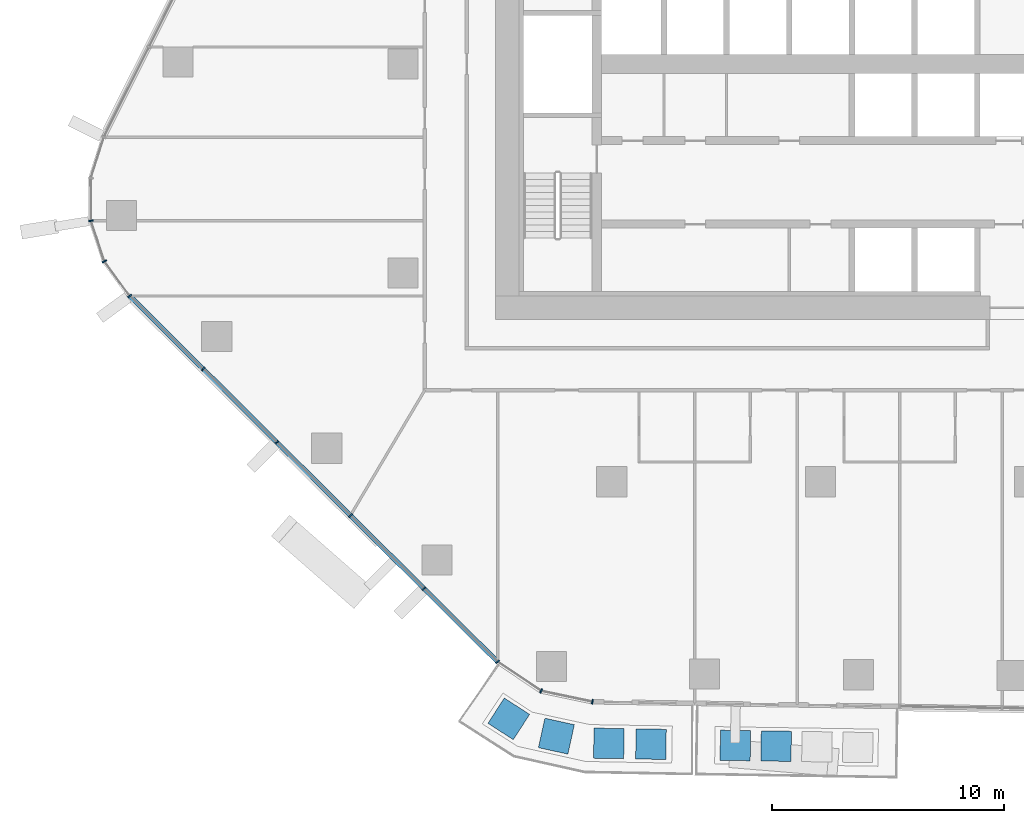
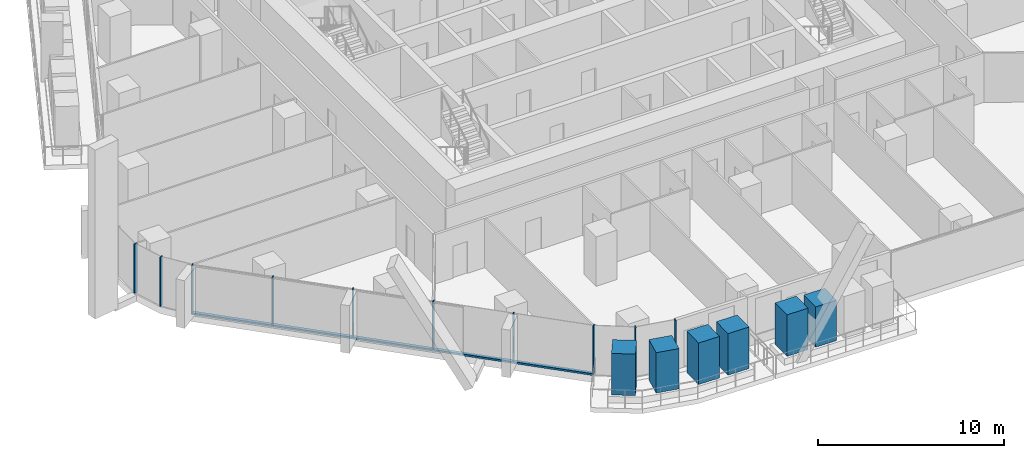
# One storey, part 2 of 26: 17 members, 3 elements without a shape of their own.
"""IFC4 building model written with IfcOpenShell, lengths in metres."""

from ifc_helpers import new_model, si_unit, direction, frame, origin, origin_2d, place, context, subcontext, project, spatial, rectangle, extrude, material, layer, layer_set, material_profile, profile_set, type_object, element, aggregate, save


model = new_model("IFC4")

# Units and contexts
model_context = context("Model", 3, precision=1e-05, world=origin(), true_north=direction((0.0, 1.0)))
body_context = subcontext(model_context, "Body", "Model", "MODEL_VIEW")
ifc_project = project(units=[si_unit("LENGTHUNIT", "METRE"), si_unit("AREAUNIT", "SQUARE_METRE"), si_unit("VOLUMEUNIT", "CUBIC_METRE"), si_unit("PLANEANGLEUNIT", "RADIAN"), si_unit("MASSUNIT", "GRAM", prefix="KILO")], contexts=[model_context])

# Site, building, storey
site_placement = place(None, origin())
site = spatial("IfcSite", under=ifc_project, at=site_placement, CompositionType="ELEMENT")
building_placement = place(site_placement, origin())
building = spatial("IfcBuilding", under=site, at=building_placement, Name="Dongbaek Canopy Tower", CompositionType="ELEMENT")
storey_placement = place(building_placement, frame((0.0, 0.0, 95.199951171875)))
storey = spatial("IfcBuildingStorey", under=building, at=storey_placement, Name="L19", CompositionType="ELEMENT", Elevation=95.199951171875)

# Curtain wall, members
ifc_material_1 = material(Name="Aluminium 6063-T6 pale anodised", Category="aluminium")
ifc_layer = layer(ifc_material_1, 0.199951171875)
ifc_layer_set = layer_set([ifc_layer], Name="CW-1 unitised tower curtain wall")
curtain_wall_type = type_object("IfcCurtainWallType", Name="CW-1 unitised tower curtain wall", PredefinedType="NOTDEFINED", material=ifc_layer_set)
curtain_wall_1_placement = place(storey_placement, origin())
curtain_wall_1 = element("IfcCurtainWall", 1, at=curtain_wall_1_placement, inside=storey, type_object=curtain_wall_type, Name="CW-1 curtain wall K3.1", PredefinedType="NOTDEFINED")
ifc_material_2 = material(Name="Aluminium 6063-T6 pale anodised", Category="aluminium")
ifc_material_profile_1 = material_profile(ifc_material_2, rectangle(XDim=0.199951171875, YDim=0.06005859375, at=origin_2d()), Name="CW-1 mullion 60 x 200")
ifc_profile_set_1 = profile_set([ifc_material_profile_1], Name="Aluminium 6063-T6 pale anodised")
member_type_1 = type_object("IfcMemberType", Name="CW-1 mullion 60 x 200", PredefinedType="MULLION", material=ifc_profile_set_1)
member_1_placement = place(storey_placement, frame((-31.437255859375, -6.75537109375, 0.0), z_axis=(0.0, 0.0, 1.0), x_axis=(-0.986927013659, -0.161167830876, 0.0)))
member_1 = element("IfcMember", 2, at=member_1_placement, type_object=member_type_1, Name="CW-1 mullion K3.1.3", PredefinedType="MULLION", context=body_context, shape_type="SweptSolid", body=[
    extrude(rectangle(XDim=0.199951171875, YDim=0.06005859375, at=origin_2d()), origin(), (0.0, 0.0, 1.0), 3.25),
])
member_2_placement = place(storey_placement, frame((-30.861328125, -8.502685546875, 0.0), z_axis=(0.0, 0.0, 1.0), x_axis=(-0.889270102172, -0.457382427934, 0.0)))
member_2 = element("IfcMember", 3, at=member_2_placement, type_object=member_type_1, Name="CW-1 mullion K3.1.4", PredefinedType="MULLION", context=body_context, shape_type="SweptSolid", body=[
    extrude(rectangle(XDim=0.199951171875, YDim=0.06005859375, at=origin_2d()), origin(), (0.0, 0.0, 1.0), 3.25),
])
member_3_placement = place(storey_placement, frame((-29.770263671875, -9.993896484375, 0.0), z_axis=(0.0, 0.0, 1.0), x_axis=(-0.80706183949, -0.59046692307, 0.0)))
member_3 = element("IfcMember", 4, at=member_3_placement, type_object=member_type_1, Name="CW-1 mullion K3.1.5", PredefinedType="MULLION", context=body_context, shape_type="SweptSolid", body=[
    extrude(rectangle(XDim=0.199951171875, YDim=0.06005859375, at=origin_2d()), origin(), (0.0, 0.0, 1.0), 3.25),
])
aggregate(curtain_wall_1, [member_1, member_2, member_3])

curtain_wall_2_placement = place(storey_placement, origin())
curtain_wall_2 = element("IfcCurtainWall", 5, at=curtain_wall_2_placement, inside=storey, type_object=curtain_wall_type, Name="CW-1 curtain wall F3.1", PredefinedType="NOTDEFINED")
member_4_placement = place(storey_placement, frame((-26.6025390625, -13.143798828125, 0.1201171875), z_axis=(0.0, 0.0, 1.0), x_axis=(-0.705105030819, -0.709102880768, 0.0)))
member_4 = element("IfcMember", 6, at=member_4_placement, type_object=member_type_1, Name="CW-1 mullion F3.1.2", PredefinedType="MULLION", context=body_context, shape_type="SweptSolid", body=[
    extrude(rectangle(XDim=0.199951171875, YDim=0.06005859375, at=origin_2d()), origin(), (0.0, 0.0, 1.0), 3.1298828125),
])
member_5_placement = place(storey_placement, frame((-23.42919921875, -16.299072265625, 0.1201171875), z_axis=(0.0, 0.0, 1.0), x_axis=(-0.705105030819, -0.709102880768, 0.0)))
member_5 = element("IfcMember", 7, at=member_5_placement, type_object=member_type_1, Name="CW-1 mullion F3.1.3", PredefinedType="MULLION", context=body_context, shape_type="SweptSolid", body=[
    extrude(rectangle(XDim=0.199951171875, YDim=0.06005859375, at=origin_2d()), origin(), (0.0, 0.0, 1.0), 3.1298828125),
])
member_6_placement = place(storey_placement, frame((-20.256103515625, -19.45458984375, 0.1201171875), z_axis=(0.0, 0.0, 1.0), x_axis=(-0.705105030819, -0.709102880768, 0.0)))
member_6 = element("IfcMember", 8, at=member_6_placement, type_object=member_type_1, Name="CW-1 mullion F3.1.4", PredefinedType="MULLION", context=body_context, shape_type="SweptSolid", body=[
    extrude(rectangle(XDim=0.199951171875, YDim=0.06005859375, at=origin_2d()), origin(), (0.0, 0.0, 1.0), 3.1298828125),
])
member_7_placement = place(storey_placement, frame((-17.082763671875, -22.60986328125, 0.1201171875), z_axis=(0.0, 0.0, 1.0), x_axis=(-0.705105030819, -0.709102880768, 0.0)))
member_7 = element("IfcMember", 9, at=member_7_placement, type_object=member_type_1, Name="CW-1 mullion F3.1.5", PredefinedType="MULLION", context=body_context, shape_type="SweptSolid", body=[
    extrude(rectangle(XDim=0.199951171875, YDim=0.06005859375, at=origin_2d()), origin(), (0.0, 0.0, 1.0), 3.1298828125),
])
member_8_placement = place(storey_placement, frame((-13.91650390625, -25.75830078125, 0.1201171875), z_axis=(0.0, 0.0, 1.0), x_axis=(-0.705105030819, -0.709102880768, 0.0)))
member_8 = element("IfcMember", 10, at=member_8_placement, type_object=member_type_1, Name="CW-1 mullion F3.1.6", PredefinedType="MULLION", context=body_context, shape_type="SweptSolid", body=[
    extrude(rectangle(XDim=0.199951171875, YDim=0.06005859375, at=origin_2d()), origin(), (0.0, 0.0, 1.0), 3.1298828125),
])

curtain_wall_3_placement = place(storey_placement, origin())
curtain_wall_3 = element("IfcCurtainWall", 11, at=curtain_wall_3_placement, inside=storey, type_object=curtain_wall_type, Name="CW-1 curtain wall K4.1", PredefinedType="NOTDEFINED")
member_9_placement = place(storey_placement, frame((-12.040771484375, -27.016357421875, 0.0), z_axis=(0.0, 0.0, 1.0), x_axis=(-0.38849005689, -0.921452915616, 0.0)))
member_9 = element("IfcMember", 12, at=member_9_placement, type_object=member_type_1, Name="CW-1 mullion K4.1.2", PredefinedType="MULLION", context=body_context, shape_type="SweptSolid", body=[
    extrude(rectangle(XDim=0.199951171875, YDim=0.06005859375, at=origin_2d()), origin(), (0.0, 0.0, 1.0), 3.25),
])
member_10_placement = place(storey_placement, frame((-9.830810546875, -27.48095703125, 0.0), z_axis=(0.0, 0.0, 1.0), x_axis=(-0.205723466931, -0.978610165057, 0.0)))
member_10 = element("IfcMember", 13, at=member_10_placement, type_object=member_type_1, Name="CW-1 mullion K4.1.3", PredefinedType="MULLION", context=body_context, shape_type="SweptSolid", body=[
    extrude(rectangle(XDim=0.199951171875, YDim=0.06005859375, at=origin_2d()), origin(), (0.0, 0.0, 1.0), 3.25),
])
aggregate(curtain_wall_3, [member_9, member_10])

# Member
ifc_material_3 = material(Name="Aluminium 6063-T6 pale anodised", Category="aluminium")
ifc_material_profile_2 = material_profile(ifc_material_3, rectangle(XDim=0.199951171875, YDim=0.1201171875, at=origin_2d()), Name="CW-1 transom 120 x 200")
ifc_profile_set_2 = profile_set([ifc_material_profile_2], Name="Aluminium 6063-T6 pale anodised")
member_type_2 = type_object("IfcMemberType", Name="CW-1 transom 120 x 200", PredefinedType="USERDEFINED", material=ifc_profile_set_2)
member_11_placement = place(storey_placement, frame((-29.770263671875, -9.993896484375, 0.06005859375), z_axis=(0.709102289991, -0.705105624945, 0.0), x_axis=(0.705105624945, 0.709102289991, 0.0)))
member_11 = element("IfcMember", 14, at=member_11_placement, type_object=member_type_2, Name="CW-1 transom F3.1.1", ObjectType="TRANSOM", PredefinedType="USERDEFINED", context=body_context, shape_type="SweptSolid", body=[
    extrude(rectangle(XDim=0.199951171875, YDim=0.1201171875, at=origin_2d()), origin(), (0.0, 0.0, 1.0), 22.357421875),
])

aggregate(curtain_wall_2, [member_4, member_5, member_6, member_7, member_8, member_11])

# Members
ifc_material_4 = material(Name="Concrete C40/50 planter mass with planting", Category="concrete")
ifc_material_profile_3 = material_profile(ifc_material_4, rectangle(XDim=1.300048828125, YDim=1.300048828125, at=origin_2d()), Name="Terrace PLANTER shrub mass 1300 x 1300")
ifc_profile_set_3 = profile_set([ifc_material_profile_3], Name="Concrete C40/50 planter mass with planting")
member_type_3 = type_object("IfcMemberType", Name="Terrace PLANTER shrub mass 1300 x 1300", PredefinedType="USERDEFINED", material=ifc_profile_set_3)
member_12_placement = place(storey_placement, frame((-3.672119140625, -29.365966796875, 0.420166015625), z_axis=(0.0, 0.0, 1.0), x_axis=(-0.015412878639, -0.999881214531, 0.0)))
element("IfcMember", 15, at=member_12_placement, inside=storey, type_object=member_type_3, Name="Planter shrubs L19 4.1", ObjectType="PLANTER", PredefinedType="USERDEFINED", context=body_context, shape_type="SweptSolid", body=[
    extrude(rectangle(XDim=1.300048828125, YDim=1.300048828125, at=origin_2d()), origin(), (0.0, 0.0, 1.0), 2.72998046875),
])
member_13_placement = place(storey_placement, frame((-1.91357421875, -29.39306640625, 0.420166015625), z_axis=(0.0, 0.0, 1.0), x_axis=(-0.015412878639, -0.999881214531, 0.0)))
element("IfcMember", 16, at=member_13_placement, inside=storey, type_object=member_type_3, Name="Planter shrubs L19 4.2", ObjectType="PLANTER", PredefinedType="USERDEFINED", context=body_context, shape_type="SweptSolid", body=[
    extrude(rectangle(XDim=1.300048828125, YDim=1.300048828125, at=origin_2d()), origin(), (0.0, 0.0, 1.0), 2.64990234375),
])
member_14_placement = place(storey_placement, frame((-13.434814453125, -28.218017578125, 0.420166015625), z_axis=(0.0, 0.0, 1.0), x_axis=(-0.541408983578, -0.840759366585, 0.0)))
element("IfcMember", 17, at=member_14_placement, inside=storey, type_object=member_type_3, Name="Planter shrubs L19 8.1", ObjectType="PLANTER", PredefinedType="USERDEFINED", context=body_context, shape_type="SweptSolid", body=[
    extrude(rectangle(XDim=1.300048828125, YDim=1.300048828125, at=origin_2d()), origin(), (0.0, 0.0, 1.0), 2.72998046875),
])
member_15_placement = place(storey_placement, frame((-11.38330078125, -28.9638671875, 0.420166015625), z_axis=(0.0, 0.0, 1.0), x_axis=(-0.213916101138, -0.976852036735, 0.0)))
element("IfcMember", 18, at=member_15_placement, inside=storey, type_object=member_type_3, Name="Planter shrubs L19 8.2", ObjectType="PLANTER", PredefinedType="USERDEFINED", context=body_context, shape_type="SweptSolid", body=[
    extrude(rectangle(XDim=1.300048828125, YDim=1.300048828125, at=origin_2d()), origin(), (0.0, 0.0, 1.0), 2.64990234375),
])
for number, where, z_axis, x_axis, name in (
    (19, (-9.12255859375, -29.276123046875, 0.420166015625), (0.0, 0.0, 1.0), (-0.017552074933, -0.999845950467, 0.0), "Planter shrubs L19 8.3"),
    (20, (-7.308349609375, -29.30810546875, 0.420166015625), (0.0, 0.0, 1.0), (-0.017552074933, -0.999845950467, 0.0), "Planter shrubs L19 8.4"),
):
    element("IfcMember", number, at=place(storey_placement, frame(where, z_axis=z_axis, x_axis=x_axis)), inside=storey, type_object=member_type_3, Name=name, ObjectType="PLANTER", PredefinedType="USERDEFINED", context=body_context, shape_type="SweptSolid", body=[
        extrude(rectangle(XDim=1.300048828125, YDim=1.300048828125, at=origin_2d()), origin(), (0.0, 0.0, 1.0), 2.72998046875),
    ])

save(model, "model.ifc")
